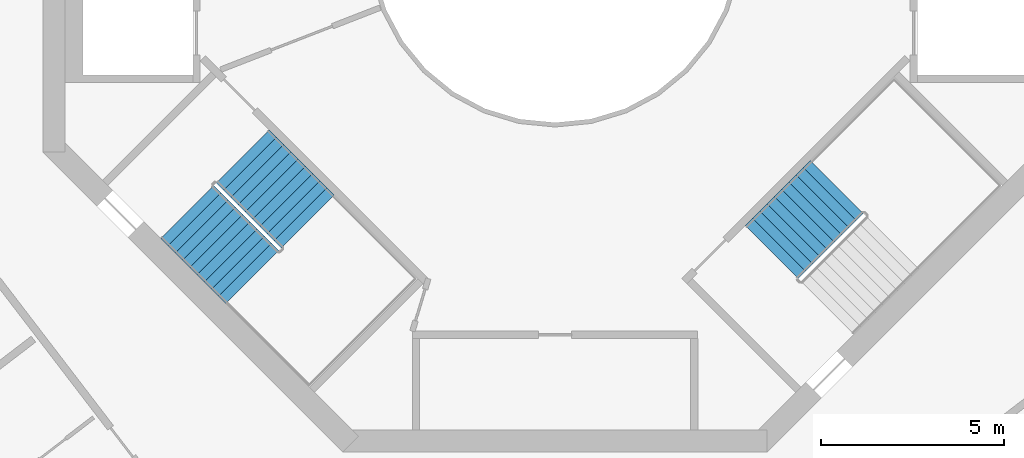
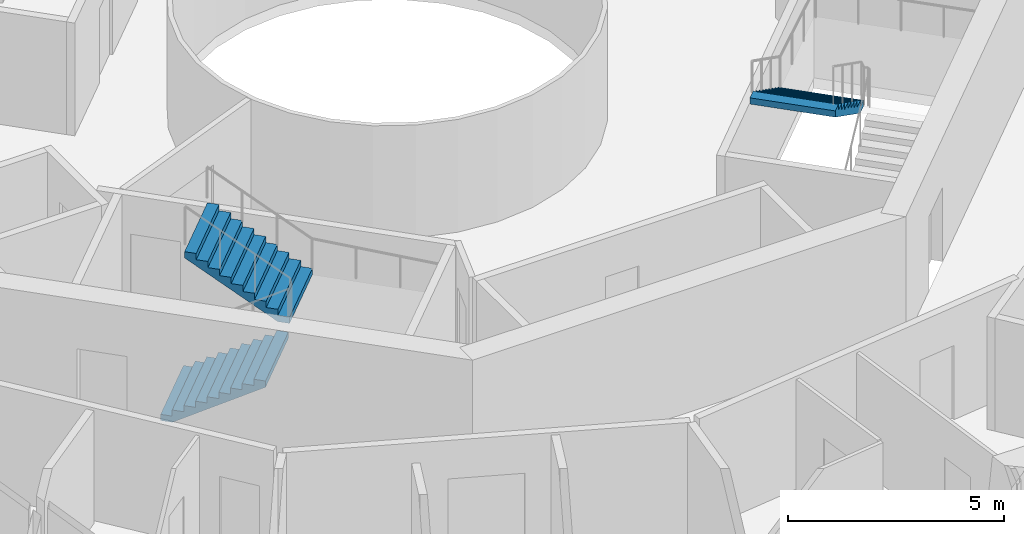
# One storey, part 23 of 25: 3 stair flights, 2 elements without a shape of their own.
"""IFC4 building model written with IfcOpenShell, lengths in metres."""

from ifc_helpers import new_model, si_unit, direction, frame, origin, place, context, subcontext, project, spatial, triangles, material, type_object, element, aggregate, save


model = new_model("IFC4")

# Units and contexts
model_context = context("Model", 3, precision=1e-05, world=origin(), true_north=direction((0.0, 1.0)))
body_context = subcontext(model_context, "Body", "Model", "MODEL_VIEW")
ifc_project = project(units=[si_unit("LENGTHUNIT", "METRE"), si_unit("AREAUNIT", "SQUARE_METRE"), si_unit("VOLUMEUNIT", "CUBIC_METRE"), si_unit("PLANEANGLEUNIT", "RADIAN"), si_unit("MASSUNIT", "GRAM", prefix="KILO")], contexts=[model_context])

# Site, building, storey
site_placement = place(None, origin())
site = spatial("IfcSite", under=ifc_project, at=site_placement, CompositionType="ELEMENT")
building_placement = place(site_placement, origin())
building = spatial("IfcBuilding", under=site, at=building_placement, Name="Verdalira Terraces Hotel", CompositionType="ELEMENT")
storey_placement = place(building_placement, frame((0.0, 0.0, 187.0)))
storey = spatial("IfcBuildingStorey", under=building, at=storey_placement, Name="L45", CompositionType="ELEMENT", Elevation=187.0)

# Stair, stair flights
ifc_material_1 = material(Name="Concrete C40", Category="concrete")
stair_type = type_object("IfcStairType", Name="Core stair 20 risers 2050 mm wide", PredefinedType="HALF_TURN_STAIR", material=ifc_material_1)
stair_1_placement = place(storey_placement, origin())
stair_1 = element("IfcStair", 1, at=stair_1_placement, inside=storey, type_object=stair_type, Name="L45 Exit stair ST2", PredefinedType="HALF_TURN_STAIR")
ifc_material_2 = material(Name="Concrete C40", Category="concrete")
stair_flight_type = type_object("IfcStairFlightType", Name="Core stair flight 20 risers 2050 mm wide", PredefinedType="STRAIGHT", material=ifc_material_2)
stair_flight_1_placement = place(storey_placement, frame((-10.058594, -7.442383, 0.0), z_axis=(0.0, 0.0, 1.0), x_axis=(0.707106781, -0.707106781, 0.0)))
stair_flight_1 = element("IfcStairFlight", 2, at=stair_flight_1_placement, type_object=stair_flight_type, Name="ST2 flight 1", NumberOfRisers=10, NumberOfTreads=9, PredefinedType="STRAIGHT", RiserHeight=0.175, TreadLength=0.28, context=body_context, shape_type="Tessellation", body=[
    triangles([(0.0, 1.025024, 0.0), (0.282715, 1.025024, 0.0), (2.52002, 1.025024, 1.398193), (0.0, -1.025024, 0.0), (0.282715, -1.025024, 0.0), (2.52002, -1.025024, 1.398193), (2.52002, 1.025024, 1.574951), (2.23999, 1.025024, 1.574951), (2.52002, -1.025024, 1.574951), (2.23999, -1.025024, 1.574951), (2.23999, 1.025024, 1.399902), (2.23999, -1.025024, 1.399902), (1.959961, 1.025024, 1.399902), (1.959961, -1.025024, 1.399902), (1.959961, 1.025024, 1.225098), (1.959961, -1.025024, 1.225098), (1.679932, 1.025024, 1.225098), (1.679932, 1.025024, 1.050049), (1.679932, -1.025024, 1.225098), (1.679932, -1.025024, 1.050049), (1.399902, 1.025024, 1.050049), (1.399902, 1.025024, 0.875), (1.399902, -1.025024, 1.050049), (1.399902, -1.025024, 0.875), (1.120117, 1.025024, 0.875), (1.120117, 1.025024, 0.699951), (1.120117, -1.025024, 0.875), (1.120117, -1.025024, 0.699951), (0.840088, 1.025024, 0.699951), (0.840088, 1.025024, 0.524902), (0.840088, -1.025024, 0.699951), (0.840088, -1.025024, 0.524902), (0.560059, 1.025024, 0.524902), (0.560059, 1.025024, 0.350098), (0.560059, -1.025024, 0.524902), (0.560059, -1.025024, 0.350098), (0.280029, 1.025024, 0.350098), (0.280029, 1.025024, 0.175049), (0.280029, -1.025024, 0.350098), (0.280029, -1.025024, 0.175049), (0.0, 1.025024, 0.175049), (0.0, -1.025024, 0.175049), (0.0, -0.96096, 0.0), (0.0, -0.96096, 0.175049), (0.0, -0.896896, 0.0), (0.0, -0.896896, 0.175049), (0.0, -0.832832, 0.0), (0.0, -0.832832, 0.175049), (0.0, -0.768768, 0.0), (0.0, -0.768768, 0.175049), (0.0, -0.704704, 0.0), (0.0, -0.704704, 0.175049), (0.0, -0.64064, 0.0), (0.0, -0.64064, 0.175049), (0.0, -0.576576, 0.0), (0.0, -0.576576, 0.175049), (0.0, -0.512512, 0.0), (0.0, -0.512512, 0.175049), (0.0, -0.448448, 0.0), (0.0, -0.448448, 0.175049), (0.0, -0.384384, 0.0), (0.0, -0.384384, 0.175049), (0.0, -0.32032, 0.0), (0.0, -0.32032, 0.175049), (0.0, -0.256256, 0.0), (0.0, -0.256256, 0.175049), (0.0, -0.192192, 0.0), (0.0, -0.192192, 0.175049), (0.0, -0.128128, 0.0), (0.0, -0.128128, 0.175049), (0.0, -0.064064, 0.0), (0.0, -0.064064, 0.175049), (0.0, 0.0, 0.0), (0.0, 0.0, 0.175049), (0.0, 0.064064, 0.0), (0.0, 0.064064, 0.175049), (0.0, 0.128128, 0.0), (0.0, 0.128128, 0.175049), (0.0, 0.192192, 0.0), (0.0, 0.192192, 0.175049), (0.0, 0.256256, 0.0), (0.0, 0.256256, 0.175049), (0.0, 0.32032, 0.0), (0.0, 0.32032, 0.175049), (0.0, 0.384384, 0.0), (0.0, 0.384384, 0.175049), (0.0, 0.448448, 0.0), (0.0, 0.448448, 0.175049), (0.0, 0.512512, 0.0), (0.0, 0.512512, 0.175049), (0.0, 0.576576, 0.0), (0.0, 0.576576, 0.175049), (0.0, 0.64064, 0.0), (0.0, 0.64064, 0.175049), (0.0, 0.704704, 0.0), (0.0, 0.704704, 0.175049), (0.0, 0.768768, 0.0), (0.0, 0.768768, 0.175049), (0.0, 0.832832, 0.0), (0.0, 0.832832, 0.175049), (0.0, 0.896896, 0.0), (0.0, 0.896896, 0.175049), (0.0, 0.96096, 0.0), (0.0, 0.96096, 0.175049), (2.52002, -0.96096, 1.574951), (2.52002, -0.896896, 1.574951), (2.52002, -0.832832, 1.574951), (2.52002, -0.768768, 1.574951), (2.52002, -0.704704, 1.574951), (2.52002, -0.64064, 1.574951), (2.52002, -0.576576, 1.574951), (2.52002, -0.512512, 1.574951), (2.52002, -0.448448, 1.574951), (2.52002, -0.384384, 1.574951), (2.52002, -0.32032, 1.574951), (2.52002, -0.256256, 1.574951), (2.52002, -0.192192, 1.574951), (2.52002, -0.128128, 1.574951), (2.52002, -0.064064, 1.574951), (2.52002, 0.0, 1.574951), (2.52002, 0.064064, 1.574951), (2.52002, 0.128128, 1.574951), (2.52002, 0.192192, 1.574951), (2.52002, 0.256256, 1.574951), (2.52002, 0.32032, 1.574951), (2.52002, 0.384384, 1.574951), (2.52002, 0.448448, 1.574951), (2.52002, 0.512512, 1.574951), (2.52002, 0.576576, 1.574951), (2.52002, 0.64064, 1.574951), (2.52002, 0.704704, 1.574951), (2.52002, 0.768768, 1.574951), (2.52002, 0.832832, 1.574951), (2.52002, 0.896896, 1.574951), (2.52002, 0.96096, 1.574951), (2.52002, -0.96096, 1.398193), (2.52002, -0.896896, 1.398193), (2.52002, -0.832832, 1.398193), (2.52002, -0.768768, 1.398193), (2.52002, -0.704704, 1.398193), (2.52002, -0.64064, 1.398193), (2.52002, -0.576576, 1.398193), (2.52002, -0.512512, 1.398193), (2.52002, -0.448448, 1.398193), (2.52002, -0.384384, 1.398193), (2.52002, -0.32032, 1.398193), (2.52002, -0.256256, 1.398193), (2.52002, -0.192192, 1.398193), (2.52002, -0.128128, 1.398193), (2.52002, -0.064064, 1.398193), (2.52002, 0.0, 1.398193), (2.52002, 0.064064, 1.398193), (2.52002, 0.128128, 1.398193), (2.52002, 0.192192, 1.398193), (2.52002, 0.256256, 1.398193), (2.52002, 0.32032, 1.398193), (2.52002, 0.384384, 1.398193), (2.52002, 0.448448, 1.398193), (2.52002, 0.512512, 1.398193), (2.52002, 0.576576, 1.398193), (2.52002, 0.64064, 1.398193), (2.52002, 0.704704, 1.398193), (2.52002, 0.768768, 1.398193), (2.52002, 0.832832, 1.398193), (2.52002, 0.896896, 1.398193), (2.52002, 0.96096, 1.398193)], [[1, 3, 2], [4, 5, 6], [3, 8, 7], [6, 9, 10], [3, 11, 8], [6, 10, 12], [3, 13, 11], [6, 12, 14], [3, 15, 13], [6, 14, 16], [15, 18, 17], [16, 19, 20], [3, 18, 15], [6, 16, 20], [18, 22, 21], [20, 23, 24], [3, 22, 18], [6, 20, 24], [22, 26, 25], [24, 27, 28], [3, 26, 22], [6, 24, 28], [26, 30, 29], [28, 31, 32], [3, 30, 26], [6, 28, 32], [1, 30, 3], [4, 6, 32], [30, 34, 33], [32, 35, 36], [34, 38, 37], [36, 39, 40], [30, 38, 34], [32, 36, 40], [1, 38, 30], [4, 32, 40], [38, 1, 41], [40, 42, 4], [4, 44, 43], [4, 42, 44], [43, 46, 45], [43, 44, 46], [45, 48, 47], [45, 46, 48], [47, 50, 49], [47, 48, 50], [49, 52, 51], [49, 50, 52], [51, 54, 53], [51, 52, 54], [53, 56, 55], [53, 54, 56], [55, 58, 57], [55, 56, 58], [57, 60, 59], [57, 58, 60], [59, 62, 61], [59, 60, 62], [61, 64, 63], [61, 62, 64], [63, 66, 65], [63, 64, 66], [65, 68, 67], [65, 66, 68], [67, 70, 69], [67, 68, 70], [69, 72, 71], [69, 70, 72], [71, 74, 73], [71, 72, 74], [73, 76, 75], [73, 74, 76], [75, 78, 77], [75, 76, 78], [77, 80, 79], [77, 78, 80], [79, 82, 81], [79, 80, 82], [81, 84, 83], [81, 82, 84], [83, 86, 85], [83, 84, 86], [85, 88, 87], [85, 86, 88], [87, 90, 89], [87, 88, 90], [89, 92, 91], [89, 90, 92], [91, 94, 93], [91, 92, 94], [93, 96, 95], [93, 94, 96], [95, 98, 97], [95, 96, 98], [97, 100, 99], [97, 98, 100], [99, 102, 101], [99, 100, 102], [101, 104, 103], [101, 102, 104], [103, 41, 1], [103, 104, 41], [42, 40, 44], [44, 40, 46], [46, 40, 48], [48, 40, 50], [50, 40, 52], [52, 40, 54], [54, 40, 56], [56, 40, 58], [58, 40, 60], [60, 40, 62], [62, 40, 64], [64, 40, 66], [66, 40, 68], [68, 40, 70], [70, 40, 72], [72, 40, 74], [74, 40, 76], [76, 40, 78], [78, 40, 80], [80, 40, 82], [82, 40, 84], [84, 40, 86], [86, 40, 88], [88, 40, 90], [90, 40, 92], [92, 40, 94], [94, 40, 96], [96, 40, 98], [98, 40, 100], [100, 40, 102], [102, 40, 104], [104, 40, 41], [41, 40, 38], [40, 37, 38], [40, 39, 37], [39, 34, 37], [39, 36, 34], [36, 33, 34], [36, 35, 33], [35, 30, 33], [35, 32, 30], [32, 29, 30], [32, 31, 29], [31, 26, 29], [31, 28, 26], [28, 25, 26], [28, 27, 25], [27, 22, 25], [27, 24, 22], [24, 21, 22], [24, 23, 21], [23, 18, 21], [23, 20, 18], [20, 17, 18], [20, 19, 17], [19, 15, 17], [19, 16, 15], [16, 13, 15], [16, 14, 13], [14, 11, 13], [14, 12, 11], [12, 8, 11], [12, 10, 8], [9, 105, 10], [105, 106, 10], [106, 107, 10], [107, 108, 10], [108, 109, 10], [109, 110, 10], [110, 111, 10], [111, 112, 10], [112, 113, 10], [113, 114, 10], [114, 115, 10], [115, 116, 10], [116, 117, 10], [117, 118, 10], [118, 119, 10], [119, 120, 10], [120, 121, 10], [121, 122, 10], [122, 123, 10], [123, 124, 10], [124, 125, 10], [125, 126, 10], [126, 127, 10], [127, 128, 10], [128, 129, 10], [129, 130, 10], [130, 131, 10], [131, 132, 10], [132, 133, 10], [133, 134, 10], [134, 135, 10], [135, 7, 10], [7, 8, 10], [9, 136, 105], [9, 6, 136], [105, 137, 106], [105, 136, 137], [106, 138, 107], [106, 137, 138], [107, 139, 108], [107, 138, 139], [108, 140, 109], [108, 139, 140], [109, 141, 110], [109, 140, 141], [110, 142, 111], [110, 141, 142], [111, 143, 112], [111, 142, 143], [112, 144, 113], [112, 143, 144], [113, 145, 114], [113, 144, 145], [114, 146, 115], [114, 145, 146], [115, 147, 116], [115, 146, 147], [116, 148, 117], [116, 147, 148], [117, 149, 118], [117, 148, 149], [118, 150, 119], [118, 149, 150], [119, 151, 120], [119, 150, 151], [120, 152, 121], [120, 151, 152], [121, 153, 122], [121, 152, 153], [122, 154, 123], [122, 153, 154], [123, 155, 124], [123, 154, 155], [124, 156, 125], [124, 155, 156], [125, 157, 126], [125, 156, 157], [126, 158, 127], [126, 157, 158], [127, 159, 128], [127, 158, 159], [128, 160, 129], [128, 159, 160], [129, 161, 130], [129, 160, 161], [130, 162, 131], [130, 161, 162], [131, 163, 132], [131, 162, 163], [132, 164, 133], [132, 163, 164], [133, 165, 134], [133, 164, 165], [134, 166, 135], [134, 165, 166], [135, 3, 7], [135, 166, 3], [6, 5, 136], [136, 5, 137], [137, 5, 138], [138, 5, 139], [139, 5, 140], [140, 5, 141], [141, 5, 142], [142, 5, 143], [143, 5, 144], [144, 5, 145], [145, 5, 146], [146, 5, 147], [147, 5, 148], [148, 5, 149], [149, 5, 150], [150, 5, 151], [151, 5, 152], [152, 5, 153], [153, 5, 154], [154, 5, 155], [155, 5, 156], [156, 5, 157], [157, 5, 158], [158, 5, 159], [159, 5, 160], [160, 5, 161], [161, 5, 162], [162, 5, 163], [163, 5, 164], [164, 5, 165], [165, 5, 166], [166, 5, 3], [3, 5, 2], [4, 43, 5], [43, 45, 5], [45, 47, 5], [47, 49, 5], [49, 51, 5], [51, 53, 5], [53, 55, 5], [55, 57, 5], [57, 59, 5], [59, 61, 5], [61, 63, 5], [63, 65, 5], [65, 67, 5], [67, 69, 5], [69, 71, 5], [71, 73, 5], [73, 75, 5], [75, 77, 5], [77, 79, 5], [79, 81, 5], [81, 83, 5], [83, 85, 5], [85, 87, 5], [87, 89, 5], [89, 91, 5], [91, 93, 5], [93, 95, 5], [95, 97, 5], [97, 99, 5], [99, 101, 5], [101, 103, 5], [103, 1, 5], [1, 2, 5]], closed=True),
])
stair_flight_2_placement = place(storey_placement, frame((-6.756348, -7.703857, 1.75), z_axis=(0.0, 0.0, 1.0), x_axis=(-0.707106781, 0.707106781, 0.0)))
stair_flight_2 = element("IfcStairFlight", 3, at=stair_flight_2_placement, type_object=stair_flight_type, Name="ST2 flight 2", NumberOfRisers=10, NumberOfTreads=9, PredefinedType="STRAIGHT", RiserHeight=0.175, TreadLength=0.28, context=body_context, shape_type="Tessellation", body=[
    triangles([(0.0, 1.025024, 0.0), (0.282715, 1.025024, 0.0), (2.52002, 1.025024, 1.398193), (0.0, -1.025024, 0.0), (0.282715, -1.025024, 0.0), (2.52002, -1.025024, 1.398193), (2.52002, 1.025024, 1.574951), (2.23999, 1.025024, 1.574951), (2.52002, -1.025024, 1.574951), (2.23999, -1.025024, 1.574951), (2.23999, 1.025024, 1.399902), (2.23999, -1.025024, 1.399902), (1.959961, 1.025024, 1.399902), (1.959961, -1.025024, 1.399902), (1.959961, 1.025024, 1.225098), (1.959961, -1.025024, 1.225098), (1.679932, 1.025024, 1.225098), (1.679932, 1.025024, 1.050049), (1.679932, -1.025024, 1.225098), (1.679932, -1.025024, 1.050049), (1.399902, 1.025024, 1.050049), (1.399902, 1.025024, 0.875), (1.399902, -1.025024, 1.050049), (1.399902, -1.025024, 0.875), (1.120117, 1.025024, 0.875), (1.120117, 1.025024, 0.699951), (1.120117, -1.025024, 0.875), (1.120117, -1.025024, 0.699951), (0.840088, 1.025024, 0.699951), (0.840088, 1.025024, 0.524902), (0.840088, -1.025024, 0.699951), (0.840088, -1.025024, 0.524902), (0.560059, 1.025024, 0.524902), (0.560059, 1.025024, 0.350098), (0.560059, -1.025024, 0.524902), (0.560059, -1.025024, 0.350098), (0.280029, 1.025024, 0.350098), (0.280029, 1.025024, 0.175049), (0.280029, -1.025024, 0.350098), (0.280029, -1.025024, 0.175049), (0.0, 1.025024, 0.175049), (0.0, -1.025024, 0.175049), (0.0, -0.96096, 0.0), (0.0, -0.96096, 0.175049), (0.0, -0.896896, 0.0), (0.0, -0.896896, 0.175049), (0.0, -0.832832, 0.0), (0.0, -0.832832, 0.175049), (0.0, -0.768768, 0.0), (0.0, -0.768768, 0.175049), (0.0, -0.704704, 0.0), (0.0, -0.704704, 0.175049), (0.0, -0.64064, 0.0), (0.0, -0.64064, 0.175049), (0.0, -0.576576, 0.0), (0.0, -0.576576, 0.175049), (0.0, -0.512512, 0.0), (0.0, -0.512512, 0.175049), (0.0, -0.448448, 0.0), (0.0, -0.448448, 0.175049), (0.0, -0.384384, 0.0), (0.0, -0.384384, 0.175049), (0.0, -0.32032, 0.0), (0.0, -0.32032, 0.175049), (0.0, -0.256256, 0.0), (0.0, -0.256256, 0.175049), (0.0, -0.192192, 0.0), (0.0, -0.192192, 0.175049), (0.0, -0.128128, 0.0), (0.0, -0.128128, 0.175049), (0.0, -0.064064, 0.0), (0.0, -0.064064, 0.175049), (0.0, 0.0, 0.0), (0.0, 0.0, 0.175049), (0.0, 0.064064, 0.0), (0.0, 0.064064, 0.175049), (0.0, 0.128128, 0.0), (0.0, 0.128128, 0.175049), (0.0, 0.192192, 0.0), (0.0, 0.192192, 0.175049), (0.0, 0.256256, 0.0), (0.0, 0.256256, 0.175049), (0.0, 0.32032, 0.0), (0.0, 0.32032, 0.175049), (0.0, 0.384384, 0.0), (0.0, 0.384384, 0.175049), (0.0, 0.448448, 0.0), (0.0, 0.448448, 0.175049), (0.0, 0.512512, 0.0), (0.0, 0.512512, 0.175049), (0.0, 0.576576, 0.0), (0.0, 0.576576, 0.175049), (0.0, 0.64064, 0.0), (0.0, 0.64064, 0.175049), (0.0, 0.704704, 0.0), (0.0, 0.704704, 0.175049), (0.0, 0.768768, 0.0), (0.0, 0.768768, 0.175049), (0.0, 0.832832, 0.0), (0.0, 0.832832, 0.175049), (0.0, 0.896896, 0.0), (0.0, 0.896896, 0.175049), (0.0, 0.96096, 0.0), (0.0, 0.96096, 0.175049), (2.52002, -0.96096, 1.574951), (2.52002, -0.896896, 1.574951), (2.52002, -0.832832, 1.574951), (2.52002, -0.768768, 1.574951), (2.52002, -0.704704, 1.574951), (2.52002, -0.64064, 1.574951), (2.52002, -0.576576, 1.574951), (2.52002, -0.512512, 1.574951), (2.52002, -0.448448, 1.574951), (2.52002, -0.384384, 1.574951), (2.52002, -0.32032, 1.574951), (2.52002, -0.256256, 1.574951), (2.52002, -0.192192, 1.574951), (2.52002, -0.128128, 1.574951), (2.52002, -0.064064, 1.574951), (2.52002, 0.0, 1.574951), (2.52002, 0.064064, 1.574951), (2.52002, 0.128128, 1.574951), (2.52002, 0.192192, 1.574951), (2.52002, 0.256256, 1.574951), (2.52002, 0.32032, 1.574951), (2.52002, 0.384384, 1.574951), (2.52002, 0.448448, 1.574951), (2.52002, 0.512512, 1.574951), (2.52002, 0.576576, 1.574951), (2.52002, 0.64064, 1.574951), (2.52002, 0.704704, 1.574951), (2.52002, 0.768768, 1.574951), (2.52002, 0.832832, 1.574951), (2.52002, 0.896896, 1.574951), (2.52002, 0.96096, 1.574951), (2.52002, -0.96096, 1.398193), (2.52002, -0.896896, 1.398193), (2.52002, -0.832832, 1.398193), (2.52002, -0.768768, 1.398193), (2.52002, -0.704704, 1.398193), (2.52002, -0.64064, 1.398193), (2.52002, -0.576576, 1.398193), (2.52002, -0.512512, 1.398193), (2.52002, -0.448448, 1.398193), (2.52002, -0.384384, 1.398193), (2.52002, -0.32032, 1.398193), (2.52002, -0.256256, 1.398193), (2.52002, -0.192192, 1.398193), (2.52002, -0.128128, 1.398193), (2.52002, -0.064064, 1.398193), (2.52002, 0.0, 1.398193), (2.52002, 0.064064, 1.398193), (2.52002, 0.128128, 1.398193), (2.52002, 0.192192, 1.398193), (2.52002, 0.256256, 1.398193), (2.52002, 0.32032, 1.398193), (2.52002, 0.384384, 1.398193), (2.52002, 0.448448, 1.398193), (2.52002, 0.512512, 1.398193), (2.52002, 0.576576, 1.398193), (2.52002, 0.64064, 1.398193), (2.52002, 0.704704, 1.398193), (2.52002, 0.768768, 1.398193), (2.52002, 0.832832, 1.398193), (2.52002, 0.896896, 1.398193), (2.52002, 0.96096, 1.398193)], [[1, 3, 2], [4, 5, 6], [3, 8, 7], [6, 9, 10], [3, 11, 8], [6, 10, 12], [3, 13, 11], [6, 12, 14], [3, 15, 13], [6, 14, 16], [15, 18, 17], [16, 19, 20], [3, 18, 15], [6, 16, 20], [18, 22, 21], [20, 23, 24], [3, 22, 18], [6, 20, 24], [22, 26, 25], [24, 27, 28], [3, 26, 22], [6, 24, 28], [26, 30, 29], [28, 31, 32], [3, 30, 26], [6, 28, 32], [1, 30, 3], [4, 6, 32], [30, 34, 33], [32, 35, 36], [34, 38, 37], [36, 39, 40], [30, 38, 34], [32, 36, 40], [1, 38, 30], [4, 32, 40], [38, 1, 41], [40, 42, 4], [4, 44, 43], [4, 42, 44], [43, 46, 45], [43, 44, 46], [45, 48, 47], [45, 46, 48], [47, 50, 49], [47, 48, 50], [49, 52, 51], [49, 50, 52], [51, 54, 53], [51, 52, 54], [53, 56, 55], [53, 54, 56], [55, 58, 57], [55, 56, 58], [57, 60, 59], [57, 58, 60], [59, 62, 61], [59, 60, 62], [61, 64, 63], [61, 62, 64], [63, 66, 65], [63, 64, 66], [65, 68, 67], [65, 66, 68], [67, 70, 69], [67, 68, 70], [69, 72, 71], [69, 70, 72], [71, 74, 73], [71, 72, 74], [73, 76, 75], [73, 74, 76], [75, 78, 77], [75, 76, 78], [77, 80, 79], [77, 78, 80], [79, 82, 81], [79, 80, 82], [81, 84, 83], [81, 82, 84], [83, 86, 85], [83, 84, 86], [85, 88, 87], [85, 86, 88], [87, 90, 89], [87, 88, 90], [89, 92, 91], [89, 90, 92], [91, 94, 93], [91, 92, 94], [93, 96, 95], [93, 94, 96], [95, 98, 97], [95, 96, 98], [97, 100, 99], [97, 98, 100], [99, 102, 101], [99, 100, 102], [101, 104, 103], [101, 102, 104], [103, 41, 1], [103, 104, 41], [42, 40, 44], [44, 40, 46], [46, 40, 48], [48, 40, 50], [50, 40, 52], [52, 40, 54], [54, 40, 56], [56, 40, 58], [58, 40, 60], [60, 40, 62], [62, 40, 64], [64, 40, 66], [66, 40, 68], [68, 40, 70], [70, 40, 72], [72, 40, 74], [74, 40, 76], [76, 40, 78], [78, 40, 80], [80, 40, 82], [82, 40, 84], [84, 40, 86], [86, 40, 88], [88, 40, 90], [90, 40, 92], [92, 40, 94], [94, 40, 96], [96, 40, 98], [98, 40, 100], [100, 40, 102], [102, 40, 104], [104, 40, 41], [41, 40, 38], [40, 37, 38], [40, 39, 37], [39, 34, 37], [39, 36, 34], [36, 33, 34], [36, 35, 33], [35, 30, 33], [35, 32, 30], [32, 29, 30], [32, 31, 29], [31, 26, 29], [31, 28, 26], [28, 25, 26], [28, 27, 25], [27, 22, 25], [27, 24, 22], [24, 21, 22], [24, 23, 21], [23, 18, 21], [23, 20, 18], [20, 17, 18], [20, 19, 17], [19, 15, 17], [19, 16, 15], [16, 13, 15], [16, 14, 13], [14, 11, 13], [14, 12, 11], [12, 8, 11], [12, 10, 8], [9, 105, 10], [105, 106, 10], [106, 107, 10], [107, 108, 10], [108, 109, 10], [109, 110, 10], [110, 111, 10], [111, 112, 10], [112, 113, 10], [113, 114, 10], [114, 115, 10], [115, 116, 10], [116, 117, 10], [117, 118, 10], [118, 119, 10], [119, 120, 10], [120, 121, 10], [121, 122, 10], [122, 123, 10], [123, 124, 10], [124, 125, 10], [125, 126, 10], [126, 127, 10], [127, 128, 10], [128, 129, 10], [129, 130, 10], [130, 131, 10], [131, 132, 10], [132, 133, 10], [133, 134, 10], [134, 135, 10], [135, 7, 10], [7, 8, 10], [9, 136, 105], [9, 6, 136], [105, 137, 106], [105, 136, 137], [106, 138, 107], [106, 137, 138], [107, 139, 108], [107, 138, 139], [108, 140, 109], [108, 139, 140], [109, 141, 110], [109, 140, 141], [110, 142, 111], [110, 141, 142], [111, 143, 112], [111, 142, 143], [112, 144, 113], [112, 143, 144], [113, 145, 114], [113, 144, 145], [114, 146, 115], [114, 145, 146], [115, 147, 116], [115, 146, 147], [116, 148, 117], [116, 147, 148], [117, 149, 118], [117, 148, 149], [118, 150, 119], [118, 149, 150], [119, 151, 120], [119, 150, 151], [120, 152, 121], [120, 151, 152], [121, 153, 122], [121, 152, 153], [122, 154, 123], [122, 153, 154], [123, 155, 124], [123, 154, 155], [124, 156, 125], [124, 155, 156], [125, 157, 126], [125, 156, 157], [126, 158, 127], [126, 157, 158], [127, 159, 128], [127, 158, 159], [128, 160, 129], [128, 159, 160], [129, 161, 130], [129, 160, 161], [130, 162, 131], [130, 161, 162], [131, 163, 132], [131, 162, 163], [132, 164, 133], [132, 163, 164], [133, 165, 134], [133, 164, 165], [134, 166, 135], [134, 165, 166], [135, 3, 7], [135, 166, 3], [6, 5, 136], [136, 5, 137], [137, 5, 138], [138, 5, 139], [139, 5, 140], [140, 5, 141], [141, 5, 142], [142, 5, 143], [143, 5, 144], [144, 5, 145], [145, 5, 146], [146, 5, 147], [147, 5, 148], [148, 5, 149], [149, 5, 150], [150, 5, 151], [151, 5, 152], [152, 5, 153], [153, 5, 154], [154, 5, 155], [155, 5, 156], [156, 5, 157], [157, 5, 158], [158, 5, 159], [159, 5, 160], [160, 5, 161], [161, 5, 162], [162, 5, 163], [163, 5, 164], [164, 5, 165], [165, 5, 166], [166, 5, 3], [3, 5, 2], [4, 43, 5], [43, 45, 5], [45, 47, 5], [47, 49, 5], [49, 51, 5], [51, 53, 5], [53, 55, 5], [55, 57, 5], [57, 59, 5], [59, 61, 5], [61, 63, 5], [63, 65, 5], [65, 67, 5], [67, 69, 5], [69, 71, 5], [71, 73, 5], [73, 75, 5], [75, 77, 5], [77, 79, 5], [79, 81, 5], [81, 83, 5], [83, 85, 5], [85, 87, 5], [87, 89, 5], [89, 91, 5], [91, 93, 5], [93, 95, 5], [95, 97, 5], [97, 99, 5], [99, 101, 5], [101, 103, 5], [103, 1, 5], [1, 2, 5]], closed=True),
])
aggregate(stair_1, [stair_flight_1, stair_flight_2])

# Stair, stair flight
stair_2_placement = place(storey_placement, origin())
stair_2 = element("IfcStair", 4, at=stair_2_placement, inside=storey, type_object=stair_type, Name="L45 Exit stair ST3", PredefinedType="HALF_TURN_STAIR")
stair_flight_3_placement = place(storey_placement, frame((7.703857, -6.756348, 1.75), z_axis=(0.0, 0.0, 1.0), x_axis=(-0.707106781, -0.707106781, 0.0)))
stair_flight_3 = element("IfcStairFlight", 5, at=stair_flight_3_placement, type_object=stair_flight_type, Name="ST3 flight 2", NumberOfRisers=10, NumberOfTreads=9, PredefinedType="STRAIGHT", RiserHeight=0.175, TreadLength=0.28, context=body_context, shape_type="Tessellation", body=[
    triangles([(0.0, 1.025024, 0.0), (0.282715, 1.025024, 0.0), (2.52002, 1.025024, 1.398193), (0.0, -1.025024, 0.0), (0.282715, -1.025024, 0.0), (2.52002, -1.025024, 1.398193), (2.52002, 1.025024, 1.574951), (2.23999, 1.025024, 1.574951), (2.52002, -1.025024, 1.574951), (2.23999, -1.025024, 1.574951), (2.23999, 1.025024, 1.399902), (2.23999, -1.025024, 1.399902), (1.959961, 1.025024, 1.399902), (1.959961, -1.025024, 1.399902), (1.959961, 1.025024, 1.225098), (1.959961, -1.025024, 1.225098), (1.679932, 1.025024, 1.225098), (1.679932, 1.025024, 1.050049), (1.679932, -1.025024, 1.225098), (1.679932, -1.025024, 1.050049), (1.399902, 1.025024, 1.050049), (1.399902, 1.025024, 0.875), (1.399902, -1.025024, 1.050049), (1.399902, -1.025024, 0.875), (1.120117, 1.025024, 0.875), (1.120117, 1.025024, 0.699951), (1.120117, -1.025024, 0.875), (1.120117, -1.025024, 0.699951), (0.840088, 1.025024, 0.699951), (0.840088, 1.025024, 0.524902), (0.840088, -1.025024, 0.699951), (0.840088, -1.025024, 0.524902), (0.560059, 1.025024, 0.524902), (0.560059, 1.025024, 0.350098), (0.560059, -1.025024, 0.524902), (0.560059, -1.025024, 0.350098), (0.280029, 1.025024, 0.350098), (0.280029, 1.025024, 0.175049), (0.280029, -1.025024, 0.350098), (0.280029, -1.025024, 0.175049), (0.0, 1.025024, 0.175049), (0.0, -1.025024, 0.175049), (0.0, -0.96096, 0.0), (0.0, -0.96096, 0.175049), (0.0, -0.896896, 0.0), (0.0, -0.896896, 0.175049), (0.0, -0.832832, 0.0), (0.0, -0.832832, 0.175049), (0.0, -0.768768, 0.0), (0.0, -0.768768, 0.175049), (0.0, -0.704704, 0.0), (0.0, -0.704704, 0.175049), (0.0, -0.64064, 0.0), (0.0, -0.64064, 0.175049), (0.0, -0.576576, 0.0), (0.0, -0.576576, 0.175049), (0.0, -0.512512, 0.0), (0.0, -0.512512, 0.175049), (0.0, -0.448448, 0.0), (0.0, -0.448448, 0.175049), (0.0, -0.384384, 0.0), (0.0, -0.384384, 0.175049), (0.0, -0.32032, 0.0), (0.0, -0.32032, 0.175049), (0.0, -0.256256, 0.0), (0.0, -0.256256, 0.175049), (0.0, -0.192192, 0.0), (0.0, -0.192192, 0.175049), (0.0, -0.128128, 0.0), (0.0, -0.128128, 0.175049), (0.0, -0.064064, 0.0), (0.0, -0.064064, 0.175049), (0.0, 0.0, 0.0), (0.0, 0.0, 0.175049), (0.0, 0.064064, 0.0), (0.0, 0.064064, 0.175049), (0.0, 0.128128, 0.0), (0.0, 0.128128, 0.175049), (0.0, 0.192192, 0.0), (0.0, 0.192192, 0.175049), (0.0, 0.256256, 0.0), (0.0, 0.256256, 0.175049), (0.0, 0.32032, 0.0), (0.0, 0.32032, 0.175049), (0.0, 0.384384, 0.0), (0.0, 0.384384, 0.175049), (0.0, 0.448448, 0.0), (0.0, 0.448448, 0.175049), (0.0, 0.512512, 0.0), (0.0, 0.512512, 0.175049), (0.0, 0.576576, 0.0), (0.0, 0.576576, 0.175049), (0.0, 0.64064, 0.0), (0.0, 0.64064, 0.175049), (0.0, 0.704704, 0.0), (0.0, 0.704704, 0.175049), (0.0, 0.768768, 0.0), (0.0, 0.768768, 0.175049), (0.0, 0.832832, 0.0), (0.0, 0.832832, 0.175049), (0.0, 0.896896, 0.0), (0.0, 0.896896, 0.175049), (0.0, 0.96096, 0.0), (0.0, 0.96096, 0.175049), (2.52002, -0.96096, 1.574951), (2.52002, -0.896896, 1.574951), (2.52002, -0.832832, 1.574951), (2.52002, -0.768768, 1.574951), (2.52002, -0.704704, 1.574951), (2.52002, -0.64064, 1.574951), (2.52002, -0.576576, 1.574951), (2.52002, -0.512512, 1.574951), (2.52002, -0.448448, 1.574951), (2.52002, -0.384384, 1.574951), (2.52002, -0.32032, 1.574951), (2.52002, -0.256256, 1.574951), (2.52002, -0.192192, 1.574951), (2.52002, -0.128128, 1.574951), (2.52002, -0.064064, 1.574951), (2.52002, 0.0, 1.574951), (2.52002, 0.064064, 1.574951), (2.52002, 0.128128, 1.574951), (2.52002, 0.192192, 1.574951), (2.52002, 0.256256, 1.574951), (2.52002, 0.32032, 1.574951), (2.52002, 0.384384, 1.574951), (2.52002, 0.448448, 1.574951), (2.52002, 0.512512, 1.574951), (2.52002, 0.576576, 1.574951), (2.52002, 0.64064, 1.574951), (2.52002, 0.704704, 1.574951), (2.52002, 0.768768, 1.574951), (2.52002, 0.832832, 1.574951), (2.52002, 0.896896, 1.574951), (2.52002, 0.96096, 1.574951), (2.52002, -0.96096, 1.398193), (2.52002, -0.896896, 1.398193), (2.52002, -0.832832, 1.398193), (2.52002, -0.768768, 1.398193), (2.52002, -0.704704, 1.398193), (2.52002, -0.64064, 1.398193), (2.52002, -0.576576, 1.398193), (2.52002, -0.512512, 1.398193), (2.52002, -0.448448, 1.398193), (2.52002, -0.384384, 1.398193), (2.52002, -0.32032, 1.398193), (2.52002, -0.256256, 1.398193), (2.52002, -0.192192, 1.398193), (2.52002, -0.128128, 1.398193), (2.52002, -0.064064, 1.398193), (2.52002, 0.0, 1.398193), (2.52002, 0.064064, 1.398193), (2.52002, 0.128128, 1.398193), (2.52002, 0.192192, 1.398193), (2.52002, 0.256256, 1.398193), (2.52002, 0.32032, 1.398193), (2.52002, 0.384384, 1.398193), (2.52002, 0.448448, 1.398193), (2.52002, 0.512512, 1.398193), (2.52002, 0.576576, 1.398193), (2.52002, 0.64064, 1.398193), (2.52002, 0.704704, 1.398193), (2.52002, 0.768768, 1.398193), (2.52002, 0.832832, 1.398193), (2.52002, 0.896896, 1.398193), (2.52002, 0.96096, 1.398193)], [[1, 3, 2], [4, 5, 6], [3, 8, 7], [6, 9, 10], [3, 11, 8], [6, 10, 12], [3, 13, 11], [6, 12, 14], [3, 15, 13], [6, 14, 16], [15, 18, 17], [16, 19, 20], [3, 18, 15], [6, 16, 20], [18, 22, 21], [20, 23, 24], [3, 22, 18], [6, 20, 24], [22, 26, 25], [24, 27, 28], [3, 26, 22], [6, 24, 28], [26, 30, 29], [28, 31, 32], [3, 30, 26], [6, 28, 32], [1, 30, 3], [4, 6, 32], [30, 34, 33], [32, 35, 36], [34, 38, 37], [36, 39, 40], [30, 38, 34], [32, 36, 40], [1, 38, 30], [4, 32, 40], [38, 1, 41], [40, 42, 4], [4, 44, 43], [4, 42, 44], [43, 46, 45], [43, 44, 46], [45, 48, 47], [45, 46, 48], [47, 50, 49], [47, 48, 50], [49, 52, 51], [49, 50, 52], [51, 54, 53], [51, 52, 54], [53, 56, 55], [53, 54, 56], [55, 58, 57], [55, 56, 58], [57, 60, 59], [57, 58, 60], [59, 62, 61], [59, 60, 62], [61, 64, 63], [61, 62, 64], [63, 66, 65], [63, 64, 66], [65, 68, 67], [65, 66, 68], [67, 70, 69], [67, 68, 70], [69, 72, 71], [69, 70, 72], [71, 74, 73], [71, 72, 74], [73, 76, 75], [73, 74, 76], [75, 78, 77], [75, 76, 78], [77, 80, 79], [77, 78, 80], [79, 82, 81], [79, 80, 82], [81, 84, 83], [81, 82, 84], [83, 86, 85], [83, 84, 86], [85, 88, 87], [85, 86, 88], [87, 90, 89], [87, 88, 90], [89, 92, 91], [89, 90, 92], [91, 94, 93], [91, 92, 94], [93, 96, 95], [93, 94, 96], [95, 98, 97], [95, 96, 98], [97, 100, 99], [97, 98, 100], [99, 102, 101], [99, 100, 102], [101, 104, 103], [101, 102, 104], [103, 41, 1], [103, 104, 41], [42, 40, 44], [44, 40, 46], [46, 40, 48], [48, 40, 50], [50, 40, 52], [52, 40, 54], [54, 40, 56], [56, 40, 58], [58, 40, 60], [60, 40, 62], [62, 40, 64], [64, 40, 66], [66, 40, 68], [68, 40, 70], [70, 40, 72], [72, 40, 74], [74, 40, 76], [76, 40, 78], [78, 40, 80], [80, 40, 82], [82, 40, 84], [84, 40, 86], [86, 40, 88], [88, 40, 90], [90, 40, 92], [92, 40, 94], [94, 40, 96], [96, 40, 98], [98, 40, 100], [100, 40, 102], [102, 40, 104], [104, 40, 41], [41, 40, 38], [40, 37, 38], [40, 39, 37], [39, 34, 37], [39, 36, 34], [36, 33, 34], [36, 35, 33], [35, 30, 33], [35, 32, 30], [32, 29, 30], [32, 31, 29], [31, 26, 29], [31, 28, 26], [28, 25, 26], [28, 27, 25], [27, 22, 25], [27, 24, 22], [24, 21, 22], [24, 23, 21], [23, 18, 21], [23, 20, 18], [20, 17, 18], [20, 19, 17], [19, 15, 17], [19, 16, 15], [16, 13, 15], [16, 14, 13], [14, 11, 13], [14, 12, 11], [12, 8, 11], [12, 10, 8], [9, 105, 10], [105, 106, 10], [106, 107, 10], [107, 108, 10], [108, 109, 10], [109, 110, 10], [110, 111, 10], [111, 112, 10], [112, 113, 10], [113, 114, 10], [114, 115, 10], [115, 116, 10], [116, 117, 10], [117, 118, 10], [118, 119, 10], [119, 120, 10], [120, 121, 10], [121, 122, 10], [122, 123, 10], [123, 124, 10], [124, 125, 10], [125, 126, 10], [126, 127, 10], [127, 128, 10], [128, 129, 10], [129, 130, 10], [130, 131, 10], [131, 132, 10], [132, 133, 10], [133, 134, 10], [134, 135, 10], [135, 7, 10], [7, 8, 10], [9, 136, 105], [9, 6, 136], [105, 137, 106], [105, 136, 137], [106, 138, 107], [106, 137, 138], [107, 139, 108], [107, 138, 139], [108, 140, 109], [108, 139, 140], [109, 141, 110], [109, 140, 141], [110, 142, 111], [110, 141, 142], [111, 143, 112], [111, 142, 143], [112, 144, 113], [112, 143, 144], [113, 145, 114], [113, 144, 145], [114, 146, 115], [114, 145, 146], [115, 147, 116], [115, 146, 147], [116, 148, 117], [116, 147, 148], [117, 149, 118], [117, 148, 149], [118, 150, 119], [118, 149, 150], [119, 151, 120], [119, 150, 151], [120, 152, 121], [120, 151, 152], [121, 153, 122], [121, 152, 153], [122, 154, 123], [122, 153, 154], [123, 155, 124], [123, 154, 155], [124, 156, 125], [124, 155, 156], [125, 157, 126], [125, 156, 157], [126, 158, 127], [126, 157, 158], [127, 159, 128], [127, 158, 159], [128, 160, 129], [128, 159, 160], [129, 161, 130], [129, 160, 161], [130, 162, 131], [130, 161, 162], [131, 163, 132], [131, 162, 163], [132, 164, 133], [132, 163, 164], [133, 165, 134], [133, 164, 165], [134, 166, 135], [134, 165, 166], [135, 3, 7], [135, 166, 3], [6, 5, 136], [136, 5, 137], [137, 5, 138], [138, 5, 139], [139, 5, 140], [140, 5, 141], [141, 5, 142], [142, 5, 143], [143, 5, 144], [144, 5, 145], [145, 5, 146], [146, 5, 147], [147, 5, 148], [148, 5, 149], [149, 5, 150], [150, 5, 151], [151, 5, 152], [152, 5, 153], [153, 5, 154], [154, 5, 155], [155, 5, 156], [156, 5, 157], [157, 5, 158], [158, 5, 159], [159, 5, 160], [160, 5, 161], [161, 5, 162], [162, 5, 163], [163, 5, 164], [164, 5, 165], [165, 5, 166], [166, 5, 3], [3, 5, 2], [4, 43, 5], [43, 45, 5], [45, 47, 5], [47, 49, 5], [49, 51, 5], [51, 53, 5], [53, 55, 5], [55, 57, 5], [57, 59, 5], [59, 61, 5], [61, 63, 5], [63, 65, 5], [65, 67, 5], [67, 69, 5], [69, 71, 5], [71, 73, 5], [73, 75, 5], [75, 77, 5], [77, 79, 5], [79, 81, 5], [81, 83, 5], [83, 85, 5], [85, 87, 5], [87, 89, 5], [89, 91, 5], [91, 93, 5], [93, 95, 5], [95, 97, 5], [97, 99, 5], [99, 101, 5], [101, 103, 5], [103, 1, 5], [1, 2, 5]], closed=True),
])
aggregate(stair_2, [stair_flight_3])

save(model, "model.ifc")
